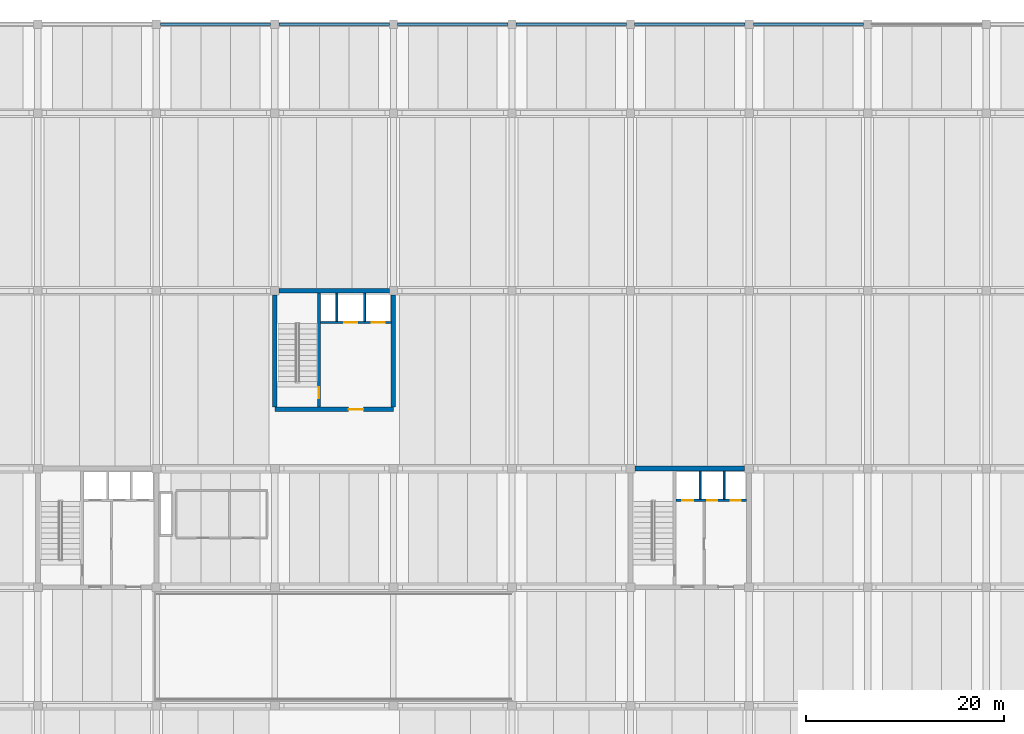
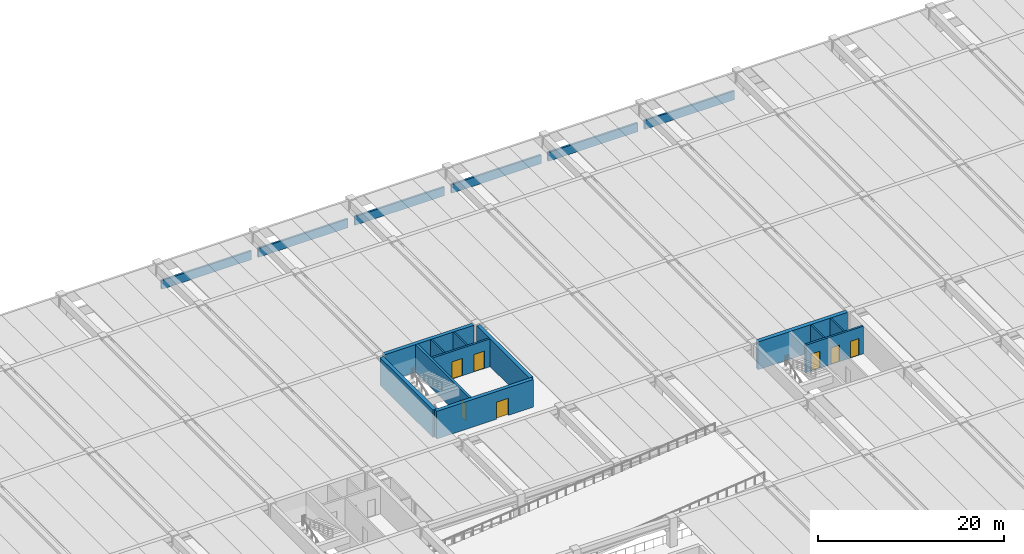
# One storey, part 11 of 19: 18 walls, 7 doors, 7 openings.
"""IFC4 building model written with IfcOpenShell, lengths in metres."""

import ifcopenshell
import ifcopenshell.guid

model = None  # the IFC model being written
_history = None  # IfcOwnerHistory: only IFC2X3 demands one
_inside = {}  # id of a spatial element -> (the spatial element, [elements in it])
_under = {}  # id of a project, library or spatial element -> (it, [spatial elements below it])
_declared = {}  # id of a project -> (the project, [libraries it declares])
_typed = {}  # id of a type object -> (the type object, [elements of that type])
_made_of = {}  # id of a material, layer set ... -> (it, [elements and type objects made of it])


def new_model(schema):
    """Start an empty IFC model of exactly this schema.

    Asked for "IFC4X3", IfcOpenShell would pick the latest addendum, in which some entities
    have other attributes; the version numbers below select the first issue.
    IFC2X3 requires an IfcOwnerHistory on every rooted entity: one is made here for all.
    """
    global model, _history
    if schema == "IFC4X3":
        model = ifcopenshell.file(schema_version=(4, 3, 0, 0))
    else:
        model = ifcopenshell.file(schema=schema)
    _inside.clear()
    _under.clear()
    _declared.clear()
    _typed.clear()
    _made_of.clear()
    _history = None
    if model.schema == "IFC2X3":
        org = make("IfcOrganization", Name="unknown")
        user = make(
            "IfcPersonAndOrganization",
            ThePerson=make("IfcPerson", FamilyName="unknown"),
            TheOrganization=org,
        )
        app = make(
            "IfcApplication",
            ApplicationDeveloper=org,
            Version="unknown",
            ApplicationFullName="unknown",
            ApplicationIdentifier="unknown",
        )
        _history = make(
            "IfcOwnerHistory",
            OwningUser=user,
            OwningApplication=app,
            ChangeAction="ADDED",
            CreationDate=0,
        )
    return model


def make(cls, **values):
    """One entity of the class cls with the attributes given. An attribute that is None is left unset."""
    return model.create_entity(
        cls, **{name: value for name, value in values.items() if value is not None}
    )


def rooted(cls, **values):
    """An entity with a GlobalId (a new one), such as an element, a storey or a relation."""
    return make(cls, GlobalId=ifcopenshell.guid.new(), OwnerHistory=_history, **values)


def si_unit(unit_type, name, prefix=None):
    """IfcSIUnit, for example si_unit("LENGTHUNIT", "METRE", prefix="MILLI")."""
    return make("IfcSIUnit", UnitType=unit_type, Prefix=prefix, Name=name)


def assignment(units):
    """IfcUnitAssignment: the units of a project."""
    return None if units is None else make("IfcUnitAssignment", Units=units)


def point(xyz):
    """IfcCartesianPoint."""
    return None if xyz is None else make("IfcCartesianPoint", Coordinates=xyz)


def direction(xyz):
    """IfcDirection."""
    return None if xyz is None else make("IfcDirection", DirectionRatios=xyz)


def frame(location, z_axis=None, x_axis=None):
    """IfcAxis2Placement3D, a coordinate frame: its origin and axes. An axis left out is left unset."""
    return make(
        "IfcAxis2Placement3D",
        Location=point(location),
        Axis=direction(z_axis),
        RefDirection=direction(x_axis),
    )


def frame_2d(location, x_axis=None):
    """IfcAxis2Placement2D, a coordinate frame in the plane: its origin and x axis."""
    return make(
        "IfcAxis2Placement2D", Location=point(location), RefDirection=direction(x_axis)
    )


def origin():
    """The frame at (0, 0, 0) with its axes left unset."""
    return frame((0.0, 0.0, 0.0))


def place(relative_to, where):
    """IfcLocalPlacement: puts the frame where relative to a parent placement (None: the world)."""
    return make(
        "IfcLocalPlacement", PlacementRelTo=relative_to, RelativePlacement=where
    )


def context(
    kind, dimensions, precision=None, world=None, true_north=None, identifier=None
):
    """IfcGeometricRepresentationContext, for example the 3D "Model" context."""
    return make(
        "IfcGeometricRepresentationContext",
        ContextIdentifier=identifier,
        ContextType=kind,
        CoordinateSpaceDimension=dimensions,
        Precision=precision,
        WorldCoordinateSystem=world,
        TrueNorth=true_north,
    )


def subcontext(parent, identifier, kind, view, scale=None):
    """IfcGeometricRepresentationSubContext, for example "Body" below "Model"."""
    return make(
        "IfcGeometricRepresentationSubContext",
        ContextIdentifier=identifier,
        ContextType=kind,
        ParentContext=parent,
        TargetScale=scale,
        TargetView=view,
    )


def project(units=None, contexts=None):
    """IfcProject with its units and contexts."""
    return rooted(
        "IfcProject",
        Name="project",
        RepresentationContexts=contexts,
        UnitsInContext=assignment(units),
    )


def spatial(cls, under=None, at=None, **own):
    """A site, building, storey or space (cls), placed at a placement, below another one or the project."""
    s = rooted(cls, ObjectPlacement=at, **own)
    if under is not None:
        _under.setdefault(under.id(), (under, []))[1].append(s)
    return s


def profile(cls, at=None, kind="AREA", **sizes):
    """A parametric profile (cls). Its sizes go by their IFC names, for example OverallWidth=200.0."""
    return make(cls, ProfileType=kind, Position=at, **sizes)


def rectangle(**sizes):
    """IfcRectangleProfileDef."""
    return profile("IfcRectangleProfileDef", **sizes)


def extrude(swept, where, along, depth):
    """IfcExtrudedAreaSolid: the profile swept, set in the frame where, extruded along a direction by depth."""
    return make(
        "IfcExtrudedAreaSolid",
        SweptArea=swept,
        Position=where,
        ExtrudedDirection=direction(along),
        Depth=depth,
    )


def shape(context_of_items, identifier, shape_type, items):
    """IfcShapeRepresentation: the items that make up one representation, for example the "Body"."""
    return make(
        "IfcShapeRepresentation",
        ContextOfItems=context_of_items,
        RepresentationIdentifier=identifier,
        RepresentationType=shape_type,
        Items=items,
    )


def material(Name=None, Category=None):
    """IfcMaterial."""
    return make("IfcMaterial", Name=Name, Category=Category)


def layer(
    of_material, thickness, ventilated=None, Name=None, Category=None, Priority=None
):
    """IfcMaterialLayer: one layer of a wall or slab, of a material (None: an air gap)."""
    return make(
        "IfcMaterialLayer",
        Material=of_material,
        LayerThickness=thickness,
        IsVentilated=ventilated,
        Name=Name,
        Category=Category,
        Priority=Priority,
    )


def layer_set(layers, Name=None):
    """IfcMaterialLayerSet."""
    return make("IfcMaterialLayerSet", MaterialLayers=layers, LayerSetName=Name)


def made_of(thing, what):
    """Note that an element or type object is made of a material, layer set ...; save() writes the relation."""
    if what is not None:
        _made_of.setdefault(what.id(), (what, []))[1].append(thing)
    return thing


def type_object(cls, material=None, **own):
    """A type object (cls), such as IfcWallType, which elements share."""
    return made_of(rooted(cls, **own), material)


def element(
    cls,
    number,
    at=None,
    inside=None,
    cuts=None,
    type_object=None,
    material=None,
    context=None,
    identifier="Body",
    shape_type=None,
    held_by="IfcProductDefinitionShape",
    body=None,
    shapes=None,
    **own,
):
    """One element of the class cls, such as IfcWall. Its Tag is "e" and its number.

    at: its placement. inside: the storey or other place that contains it. cuts: it is an
    opening in that element (IfcRelVoidsElement). A single representation is given by context,
    identifier, shape_type and body (its items); several are given by shapes. held_by: the class
    of the entity that holds the representations. save() writes the other relations.
    """
    e = rooted(cls, Tag="e%d" % number, ObjectPlacement=at, **own)
    if body is not None:
        shapes = [shape(context, identifier, shape_type, body)]
    if shapes is not None:
        e.Representation = make(held_by, Representations=shapes)
    if inside is not None:
        _inside.setdefault(inside.id(), (inside, []))[1].append(e)
    if cuts is not None:
        rooted(
            "IfcRelVoidsElement", RelatingBuildingElement=cuts, RelatedOpeningElement=e
        )
    if type_object is not None:
        _typed.setdefault(type_object.id(), (type_object, []))[1].append(e)
    return made_of(e, material)


def fill(opening, filler):
    """IfcRelFillsElement: the door or window that sits in an opening."""
    return rooted(
        "IfcRelFillsElement",
        RelatingOpeningElement=opening,
        RelatedBuildingElement=filler,
    )


def aggregate(whole, parts):
    """IfcRelAggregates: a whole, such as a stair, and the parts it consists of."""
    return rooted("IfcRelAggregates", RelatingObject=whole, RelatedObjects=parts)


def save(model, path):
    """Write the relations noted so far, then the file.

    IfcRelAggregates (storeys below a building ...), IfcRelContainedInSpatialStructure (elements
    in a storey), IfcRelDefinesByType, IfcRelAssociatesMaterial and IfcRelDeclares: one each for
    every whole, place, type object, material and project.
    """
    for whole, parts in _under.values():
        aggregate(whole, parts)
    for where, things in _inside.values():
        rooted(
            "IfcRelContainedInSpatialStructure",
            RelatedElements=things,
            RelatingStructure=where,
        )
    for kind, things in _typed.values():
        rooted("IfcRelDefinesByType", RelatedObjects=things, RelatingType=kind)
    for what, things in _made_of.values():
        rooted("IfcRelAssociatesMaterial", RelatedObjects=things, RelatingMaterial=what)
    for by, libraries in _declared.values():
        rooted("IfcRelDeclares", RelatingContext=by, RelatedDefinitions=libraries)
    model.write(path)


model = new_model("IFC4")

# Units and contexts
model_context = context("Model", 3, precision=1e-05, world=origin(), true_north=direction((0.0, 1.0)))
body_context = subcontext(model_context, "Body", "Model", "MODEL_VIEW")
ifc_project = project(units=[si_unit("LENGTHUNIT", "METRE"), si_unit("AREAUNIT", "SQUARE_METRE"), si_unit("VOLUMEUNIT", "CUBIC_METRE"), si_unit("PLANEANGLEUNIT", "RADIAN"), si_unit("MASSUNIT", "GRAM", prefix="KILO")], contexts=[model_context])

# Site, building, storey
site_placement = place(None, origin())
site = spatial("IfcSite", under=ifc_project, at=site_placement, CompositionType="ELEMENT")
building_placement = place(site_placement, origin())
building = spatial("IfcBuilding", under=site, at=building_placement, Name="Girod Span Mobility Hub", CompositionType="ELEMENT")
storey_placement = place(building_placement, frame((0.0, 0.0, 9.60009765625)))
storey = spatial("IfcBuildingStorey", under=building, at=storey_placement, Name="L02", CompositionType="ELEMENT", Elevation=9.60009765625)

# Wall, opening, door
ifc_material_1 = material(Name="Concrete C40/50", Category="concrete")
ifc_layer_1 = layer(ifc_material_1, 0.449951171875)
ifc_layer_set_1 = layer_set([ifc_layer_1], Name="Concrete C40/50")
wall_type_1 = type_object("IfcWallType", Name="W-CW-450", PredefinedType="SHEAR", material=ifc_layer_set_1)
wall_1_placement = place(storey_placement, frame((72.0, 75.0, 0.0), z_axis=(0.0, 0.0, 1.0), x_axis=(1.0, 0.0, 0.0)))
wall_1 = element("IfcWall", 1, at=wall_1_placement, inside=storey, type_object=wall_type_1, Name="Core C4 Shear Wall S L02", PredefinedType="SHEAR", context=body_context, shape_type="SweptSolid", body=[
    extrude(rectangle(XDim=12.0, YDim=0.449951171875, at=frame_2d((6.0, 0.0))), origin(), (0.0, 0.0, 1.0), 3.637939453125),
])
opening_1_placement = place(wall_1_placement, frame((7.449951171875, 0.0, 0.0)))
opening_1 = element("IfcOpeningElement", 2, at=opening_1_placement, cuts=wall_1, Name="Opening D-LB-C4-L02", PredefinedType="OPENING", context=body_context, shape_type="SweptSolid", body=[
    extrude(rectangle(XDim=1.5, YDim=2.25, at=frame_2d((0.75, 1.125))), frame((0.0, 0.239990234375, 0.0), z_axis=(0.0, -1.0, 0.0), x_axis=(1.0, 0.0, 0.0)), (0.0, 0.0, 1.0), 0.47998046875),
])
ifc_material_2 = material(Name="Fire-Rated Insulated Hollow Metal Steel", Category="steel")
door_type_1 = type_object("IfcDoorType", Name="DT-FD-03", OperationType="DOUBLE_DOOR_SINGLE_SWING", PredefinedType="DOOR", material=ifc_material_2)
door_1_placement = place(opening_1_placement, origin())
door_1 = element("IfcDoor", 3, at=door_1_placement, inside=storey, type_object=door_type_1, Name="Core C4 Cargo Lift Lobby Door L02", OperationType="DOUBLE_DOOR_SINGLE_SWING", OverallHeight=2.25, OverallWidth=1.5, PredefinedType="DOOR", context=body_context, shape_type="SweptSolid", body=[
    extrude(rectangle(XDim=1.5, YDim=2.25, at=frame_2d((0.75, 1.125))), frame((0.0, 0.02490234375, 0.0), z_axis=(0.0, -1.0, 0.0), x_axis=(1.0, 0.0, 0.0)), (0.0, 0.0, 1.0), 0.050048828125),
])
fill(opening_1, door_1)

# Walls
wall_2_placement = place(storey_placement, frame((72.422119140625, 87.0, 0.0), z_axis=(0.0, 0.0, 1.0), x_axis=(1.0, 0.0, 0.0)))
element("IfcWall", 4, at=wall_2_placement, inside=storey, type_object=wall_type_1, Name="Core C4 Shear Wall N L02", PredefinedType="SHEAR", context=body_context, shape_type="SweptSolid", body=[
    extrude(rectangle(XDim=11.15576171875, YDim=0.449951171875, at=frame_2d((5.577880859375, 0.0))), origin(), (0.0, 0.0, 1.0), 3.637939453125),
])
for number, where, z_axis, x_axis, name in (
    (5, (72.0, 75.221923828125, 0.0), (0.0, 0.0, 1.0), (0.0, 1.0, 0.0), "Core C4 Shear Wall W L02"),
    (6, (84.0, 75.221923828125, 0.0), (0.0, 0.0, 1.0), (0.0, 1.0, 0.0), "Core C4 Shear Wall E L02"),
):
    element("IfcWall", number, at=place(storey_placement, frame(where, z_axis=z_axis, x_axis=x_axis)), inside=storey, type_object=wall_type_1, Name=name, PredefinedType="SHEAR", context=body_context, shape_type="SweptSolid", body=[
        extrude(rectangle(XDim=11.35595703125, YDim=0.449951171875, at=frame_2d((5.677978515625, 0.0))), origin(), (0.0, 0.0, 1.0), 3.637939453125),
    ])
ifc_material_3 = material(Name="Concrete C40/50", Category="concrete")
ifc_layer_2 = layer(ifc_material_3, 0.5)
ifc_layer_set_2 = layer_set([ifc_layer_2], Name="Concrete C40/50")
wall_type_2 = type_object("IfcWallType", Name="W-CW-500", PredefinedType="SHEAR", material=ifc_layer_set_2)
wall_3_placement = place(storey_placement, frame((108.447021484375, 69.0, 0.0), z_axis=(0.0, 0.0, 1.0), x_axis=(1.0, 0.0, 0.0)))
element("IfcWall", 7, at=wall_3_placement, inside=storey, type_object=wall_type_2, Name="Core C2 Shear Wall N L02", PredefinedType="SHEAR", context=body_context, shape_type="SweptSolid", body=[
    extrude(rectangle(XDim=11.10595703125, YDim=0.5, at=frame_2d((5.552978515625, 0.0))), origin(), (0.0, 0.0, 1.0), 3.637939453125),
])
ifc_material_4 = material(Name="Precast Architectural Concrete C40/50", Category="concrete")
ifc_layer_3 = layer(ifc_material_4, 0.239990234375)
ifc_layer_set_3 = layer_set([ifc_layer_3], Name="Precast Architectural Concrete C40/50")
wall_type_3 = type_object("IfcWallType", Name="W-PAR-240", PredefinedType="PARAPET", material=ifc_layer_set_3)
for number, where, z_axis, x_axis, name in (
    (8, (60.423095703125, 114.0, 0.0), (0.0, 0.0, 1.0), (1.0, 0.0, 0.0), "Precast Parking Barrier Parapet N-6 L02"),
    (9, (72.423095703125, 114.0, 0.0), (0.0, 0.0, 1.0), (1.0, 0.0, 0.0), "Precast Parking Barrier Parapet N-7 L02"),
    (10, (84.423095703125, 114.0, 0.0), (0.0, 0.0, 1.0), (1.0, 0.0, 0.0), "Precast Parking Barrier Parapet N-8 L02"),
    (11, (96.423095703125, 114.0, 0.0), (0.0, 0.0, 1.0), (1.0, 0.0, 0.0), "Precast Parking Barrier Parapet N-9 L02"),
    (12, (108.423095703125, 114.0, 0.0), (0.0, 0.0, 1.0), (1.0, 0.0, 0.0), "Precast Parking Barrier Parapet N-10 L02"),
    (13, (120.423095703125, 114.0, 0.0), (0.0, 0.0, 1.0), (1.0, 0.0, 0.0), "Precast Parking Barrier Parapet N-11 L02"),
):
    element("IfcWall", number, at=place(storey_placement, frame(where, z_axis=z_axis, x_axis=x_axis)), inside=storey, type_object=wall_type_3, Name=name, PredefinedType="PARAPET", context=body_context, shape_type="SweptSolid", body=[
        extrude(rectangle(XDim=11.15380859375, YDim=0.239990234375, at=frame_2d((5.576904296875, 0.0))), origin(), (0.0, 0.0, 1.0), 1.14990234375),
    ])
ifc_material_5 = material(Name="Concrete C40/50", Category="concrete")
ifc_layer_4 = layer(ifc_material_5, 0.199951171875)
ifc_layer_set_4 = layer_set([ifc_layer_4], Name="Concrete C40/50")
wall_type_4 = type_object("IfcWallType", Name="W-SH-200", PredefinedType="SOLIDWALL", material=ifc_layer_set_4)
for number, where, z_axis, x_axis, name in (
    (14, (115.050048828125, 65.919921875, 0.0), (0.0, 0.0, 1.0), (0.0, 1.0, 0.0), "Core C2 Shaft Divider 1 L02"),
    (15, (117.47998046875, 65.919921875, 0.0), (0.0, 0.0, 1.0), (0.0, 1.0, 0.0), "Core C2 Shaft Divider 2 L02"),
):
    element("IfcWall", number, at=place(storey_placement, frame(where, z_axis=z_axis, x_axis=x_axis)), inside=storey, type_object=wall_type_4, Name=name, PredefinedType="SOLIDWALL", context=body_context, shape_type="SweptSolid", body=[
        extrude(rectangle(XDim=2.830078125, YDim=0.199951171875, at=frame_2d((1.4150390625, 0.0))), origin(), (0.0, 0.0, 1.0), 3.6279296875),
    ])
for number, where, z_axis, x_axis, name in (
    (16, (78.280029296875, 83.919921875, 0.0), (0.0, 0.0, 1.0), (0.0, 1.0, 0.0), "Core C4 Shaft Divider 1 L02"),
    (17, (81.080078125, 83.919921875, 0.0), (0.0, 0.0, 1.0), (0.0, 1.0, 0.0), "Core C4 Shaft Divider 2 L02"),
):
    element("IfcWall", number, at=place(storey_placement, frame(where, z_axis=z_axis, x_axis=x_axis)), inside=storey, type_object=wall_type_4, Name=name, PredefinedType="SOLIDWALL", context=body_context, shape_type="SweptSolid", body=[
        extrude(rectangle(XDim=2.85498046875, YDim=0.199951171875, at=frame_2d((1.427490234375, 0.0))), origin(), (0.0, 0.0, 1.0), 3.6279296875),
    ])

# Wall, openings, doors
ifc_material_6 = material(Name="Concrete C40/50", Category="concrete")
ifc_layer_5 = layer(ifc_material_6, 0.25)
ifc_layer_set_5 = layer_set([ifc_layer_5], Name="Concrete C40/50")
wall_type_5 = type_object("IfcWallType", Name="W-SH-250", PredefinedType="SOLIDWALL", material=ifc_layer_set_5)
wall_4_placement = place(storey_placement, frame((112.596923828125, 65.800048828125, 0.0), z_axis=(0.0, 0.0, 1.0), x_axis=(1.0, 0.0, 0.0)))
wall_4 = element("IfcWall", 18, at=wall_4_placement, inside=storey, type_object=wall_type_5, Name="Core C2 Hoistway Front Wall L02", PredefinedType="SOLIDWALL", context=body_context, shape_type="SweptSolid", body=[
    extrude(rectangle(XDim=7.156005859375, YDim=0.25, at=frame_2d((3.578125, 0.0))), origin(), (0.0, 0.0, 1.0), 3.637939453125),
])
opening_2_placement = place(wall_4_placement, frame((0.653076171875, 0.0, 0.0)))
opening_2 = element("IfcOpeningElement", 19, at=opening_2_placement, cuts=wall_4, Name="Opening LD-FL-2-L02", PredefinedType="OPENING", context=body_context, shape_type="SweptSolid", body=[
    extrude(rectangle(XDim=1.10009765625, YDim=2.239990234375, at=frame_2d((0.550048828125, 1.1201171875))), frame((0.0, 0.139892578125, 0.0), z_axis=(0.0, -1.0, 0.0), x_axis=(1.0, 0.0, 0.0)), (0.0, 0.0, 1.0), 0.280029296875),
])
opening_3_placement = place(wall_4_placement, frame((3.153076171875, 0.0, 0.0)))
opening_3 = element("IfcOpeningElement", 20, at=opening_3_placement, cuts=wall_4, Name="Opening LD-LP-3-L02", PredefinedType="OPENING", context=body_context, shape_type="SweptSolid", body=[
    extrude(rectangle(XDim=1.050048828125, YDim=2.199951171875, at=frame_2d((0.52490234375, 1.10009765625))), frame((0.0, 0.139892578125, 0.0), z_axis=(0.0, -1.0, 0.0), x_axis=(1.0, 0.0, 0.0)), (0.0, 0.0, 1.0), 0.280029296875),
])
opening_4_placement = place(wall_4_placement, frame((5.528076171875, 0.0, 0.0)))
opening_4 = element("IfcOpeningElement", 21, at=opening_4_placement, cuts=wall_4, Name="Opening LD-LP-4-L02", PredefinedType="OPENING", context=body_context, shape_type="SweptSolid", body=[
    extrude(rectangle(XDim=1.050048828125, YDim=2.199951171875, at=frame_2d((0.52490234375, 1.10009765625))), frame((0.0, 0.139892578125, 0.0), z_axis=(0.0, -1.0, 0.0), x_axis=(1.0, 0.0, 0.0)), (0.0, 0.0, 1.0), 0.280029296875),
])
ifc_material_7 = material(Name="Brushed Stainless Steel Grade 304", Category="steel")
door_type_2 = type_object("IfcDoorType", Name="LD-FL-110", OperationType="SLIDING_TO_LEFT", PredefinedType="USERDEFINED", material=ifc_material_7)
door_2_placement = place(opening_2_placement, origin())
door_2 = element("IfcDoor", 22, at=door_2_placement, inside=storey, type_object=door_type_2, Name="Lift FL-2 Sliding Landing Door L02", ObjectType="LANDING DOOR", OperationType="SLIDING_TO_LEFT", OverallHeight=2.239990234375, OverallWidth=1.10009765625, PredefinedType="USERDEFINED", context=body_context, shape_type="SweptSolid", body=[
    extrude(rectangle(XDim=1.10009765625, YDim=2.239990234375, at=frame_2d((0.550048828125, 1.1201171875))), frame((0.0, 0.02490234375, 0.0), z_axis=(0.0, -1.0, 0.0), x_axis=(1.0, 0.0, 0.0)), (0.0, 0.0, 1.0), 0.050048828125),
])
fill(opening_2, door_2)
ifc_material_8 = material(Name="Brushed Stainless Steel Grade 304", Category="steel")
door_type_3 = type_object("IfcDoorType", Name="LD-LP-105", OperationType="SLIDING_TO_LEFT", PredefinedType="USERDEFINED", material=ifc_material_8)
door_3_placement = place(opening_3_placement, origin())
door_3 = element("IfcDoor", 23, at=door_3_placement, inside=storey, type_object=door_type_3, Name="Lift LP-3 Sliding Landing Door L02", ObjectType="LANDING DOOR", OperationType="SLIDING_TO_LEFT", OverallHeight=2.199951171875, OverallWidth=1.050048828125, PredefinedType="USERDEFINED", context=body_context, shape_type="SweptSolid", body=[
    extrude(rectangle(XDim=1.050048828125, YDim=2.199951171875, at=frame_2d((0.52490234375, 1.10009765625))), frame((0.0, 0.02490234375, 0.0), z_axis=(0.0, -1.0, 0.0), x_axis=(1.0, 0.0, 0.0)), (0.0, 0.0, 1.0), 0.050048828125),
])
fill(opening_3, door_3)
door_4_placement = place(opening_4_placement, origin())
door_4 = element("IfcDoor", 24, at=door_4_placement, inside=storey, type_object=door_type_3, Name="Lift LP-4 Sliding Landing Door L02", ObjectType="LANDING DOOR", OperationType="SLIDING_TO_LEFT", OverallHeight=2.199951171875, OverallWidth=1.050048828125, PredefinedType="USERDEFINED", context=body_context, shape_type="SweptSolid", body=[
    extrude(rectangle(XDim=1.050048828125, YDim=2.199951171875, at=frame_2d((0.52490234375, 1.10009765625))), frame((0.0, 0.02490234375, 0.0), z_axis=(0.0, -1.0, 0.0), x_axis=(1.0, 0.0, 0.0)), (0.0, 0.0, 1.0), 0.050048828125),
])
fill(opening_4, door_4)

wall_5_placement = place(storey_placement, frame((76.596923828125, 83.800048828125, 0.0), z_axis=(0.0, 0.0, 1.0), x_axis=(1.0, 0.0, 0.0)))
wall_5 = element("IfcWall", 25, at=wall_5_placement, inside=storey, type_object=wall_type_5, Name="Core C4 Hoistway Front Wall L02", PredefinedType="SOLIDWALL", context=body_context, shape_type="SweptSolid", body=[
    extrude(rectangle(XDim=7.18115234375, YDim=0.25, at=frame_2d((3.590576171875, 0.0))), origin(), (0.0, 0.0, 1.0), 3.637939453125),
])
opening_5_placement = place(wall_5_placement, frame((2.43310546875, 0.0, 0.0)))
opening_5 = element("IfcOpeningElement", 26, at=opening_5_placement, cuts=wall_5, Name="Opening LD-LB-1-L02", PredefinedType="OPENING", context=body_context, shape_type="SweptSolid", body=[
    extrude(rectangle(XDim=1.300048828125, YDim=2.280029296875, at=frame_2d((0.64990234375, 1.14013671875))), frame((0.0, 0.139892578125, 0.0), z_axis=(0.0, -1.0, 0.0), x_axis=(1.0, 0.0, 0.0)), (0.0, 0.0, 1.0), 0.280029296875),
])
opening_6_placement = place(wall_5_placement, frame((5.202880859375, 0.0, 0.0)))
opening_6 = element("IfcOpeningElement", 27, at=opening_6_placement, cuts=wall_5, Name="Opening LD-LB-2-L02", PredefinedType="OPENING", context=body_context, shape_type="SweptSolid", body=[
    extrude(rectangle(XDim=1.300048828125, YDim=2.280029296875, at=frame_2d((0.64990234375, 1.14013671875))), frame((0.0, 0.139892578125, 0.0), z_axis=(0.0, -1.0, 0.0), x_axis=(1.0, 0.0, 0.0)), (0.0, 0.0, 1.0), 0.280029296875),
])
ifc_material_9 = material(Name="Brushed Stainless Steel Grade 304", Category="steel")
door_type_4 = type_object("IfcDoorType", Name="LD-LB-130", OperationType="SLIDING_TO_LEFT", PredefinedType="USERDEFINED", material=ifc_material_9)
door_5_placement = place(opening_5_placement, origin())
door_5 = element("IfcDoor", 28, at=door_5_placement, inside=storey, type_object=door_type_4, Name="Lift LB-1 Sliding Landing Door L02", ObjectType="LANDING DOOR", OperationType="SLIDING_TO_LEFT", OverallHeight=2.280029296875, OverallWidth=1.300048828125, PredefinedType="USERDEFINED", context=body_context, shape_type="SweptSolid", body=[
    extrude(rectangle(XDim=1.300048828125, YDim=2.280029296875, at=frame_2d((0.64990234375, 1.14013671875))), frame((0.0, 0.02490234375, 0.0), z_axis=(0.0, -1.0, 0.0), x_axis=(1.0, 0.0, 0.0)), (0.0, 0.0, 1.0), 0.050048828125),
])
fill(opening_5, door_5)
door_6_placement = place(opening_6_placement, origin())
door_6 = element("IfcDoor", 29, at=door_6_placement, inside=storey, type_object=door_type_4, Name="Lift LB-2 Sliding Landing Door L02", ObjectType="LANDING DOOR", OperationType="SLIDING_TO_LEFT", OverallHeight=2.280029296875, OverallWidth=1.300048828125, PredefinedType="USERDEFINED", context=body_context, shape_type="SweptSolid", body=[
    extrude(rectangle(XDim=1.300048828125, YDim=2.280029296875, at=frame_2d((0.64990234375, 1.14013671875))), frame((0.0, 0.02490234375, 0.0), z_axis=(0.0, -1.0, 0.0), x_axis=(1.0, 0.0, 0.0)), (0.0, 0.0, 1.0), 0.050048828125),
])
fill(opening_6, door_6)

# Wall, opening, door
ifc_material_10 = material(Name="Concrete C40/50", Category="concrete")
ifc_layer_6 = layer(ifc_material_10, 0.300048828125)
ifc_layer_set_6 = layer_set([ifc_layer_6], Name="Concrete C40/50")
wall_type_6 = type_object("IfcWallType", Name="W-SH-300", PredefinedType="SHEAR", material=ifc_layer_set_6)
wall_6_placement = place(storey_placement, frame((76.449951171875, 75.221923828125, 0.0), z_axis=(0.0, 0.0, 1.0), x_axis=(0.0, 1.0, 0.0)))
wall_6 = element("IfcWall", 30, at=wall_6_placement, inside=storey, type_object=wall_type_6, Name="Core C4 Stairwell Spine Wall L02", PredefinedType="SHEAR", context=body_context, shape_type="SweptSolid", body=[
    extrude(rectangle(XDim=11.55615234375, YDim=0.300048828125, at=frame_2d((5.778076171875, 0.0))), origin(), (0.0, 0.0, 1.0), 3.637939453125),
])
opening_7_placement = place(wall_6_placement, frame((0.89990234375, 0.0, 0.0)))
opening_7 = element("IfcOpeningElement", 31, at=opening_7_placement, cuts=wall_6, Name="Opening D-ST-4-L02", PredefinedType="OPENING", context=body_context, shape_type="SweptSolid", body=[
    extrude(rectangle(XDim=1.10009765625, YDim=2.199951171875, at=frame_2d((0.550048828125, 1.10009765625))), frame((0.0, 0.1650390625, 0.0), z_axis=(0.0, -1.0, 0.0), x_axis=(1.0, 0.0, 0.0)), (0.0, 0.0, 1.0), 0.330078125),
])
ifc_material_11 = material(Name="Fire-Rated Insulated Hollow Metal Steel", Category="steel")
door_type_5 = type_object("IfcDoorType", Name="DT-FD-01", OperationType="NOTDEFINED", PredefinedType="DOOR", material=ifc_material_11)
door_7_placement = place(opening_7_placement, origin())
door_7 = element("IfcDoor", 32, at=door_7_placement, inside=storey, type_object=door_type_5, Name="Stair ST-4 Fire Door L02", OperationType="SINGLE_SWING_LEFT", OverallHeight=2.199951171875, OverallWidth=1.10009765625, PredefinedType="DOOR", context=body_context, shape_type="SweptSolid", body=[
    extrude(rectangle(XDim=1.10009765625, YDim=2.199951171875, at=frame_2d((0.550048828125, 1.10009765625))), frame((0.0, 0.02490234375, 0.0), z_axis=(0.0, -1.0, 0.0), x_axis=(1.0, 0.0, 0.0)), (0.0, 0.0, 1.0), 0.050048828125),
])
fill(opening_7, door_7)

save(model, "model.ifc")
